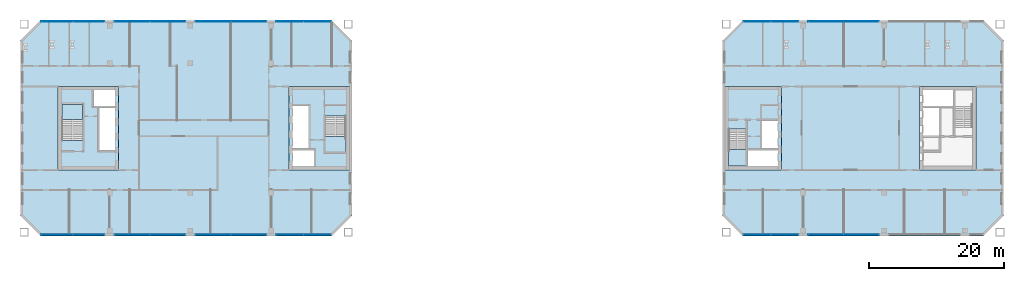
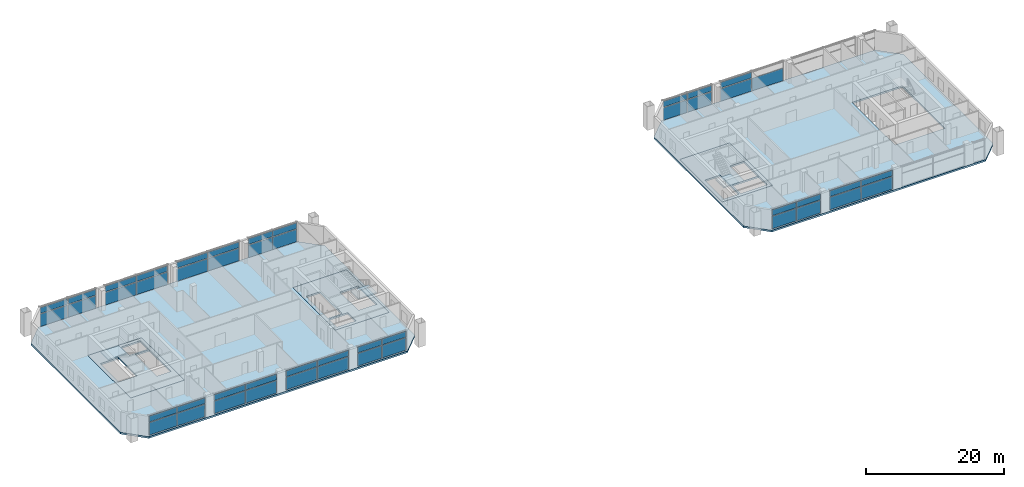
# One storey, part 7 of 17: 47 plates, 8 slabs, 15 elements without a shape of their own.
"""IFC4 building model written with IfcOpenShell, lengths in metres."""

from ifc_helpers import new_model, si_unit, direction, frame, origin, origin_2d, place, context, subcontext, project, spatial, polyline, rectangle, outline, extrude, material, layer, layer_set, type_object, element, aggregate, save


model = new_model("IFC4")

# Units and contexts
model_context = context("Model", 3, precision=1e-05, world=origin(), true_north=direction((0.0, 1.0)))
body_context = subcontext(model_context, "Body", "Model", "MODEL_VIEW")
ifc_project = project(units=[si_unit("LENGTHUNIT", "METRE"), si_unit("AREAUNIT", "SQUARE_METRE"), si_unit("VOLUMEUNIT", "CUBIC_METRE"), si_unit("PLANEANGLEUNIT", "RADIAN"), si_unit("MASSUNIT", "GRAM", prefix="KILO")], contexts=[model_context])

# Site, building, storey
site_placement = place(None, origin())
site = spatial("IfcSite", under=ifc_project, at=site_placement, CompositionType="ELEMENT")
building_placement = place(site_placement, origin())
building = spatial("IfcBuilding", under=site, at=building_placement, Name="Tuart Gate Housing", CompositionType="ELEMENT")
storey_placement = place(building_placement, frame((0.0, 0.0, 119.5)))
storey = spatial("IfcBuildingStorey", under=building, at=storey_placement, Name="L33", CompositionType="ELEMENT", Elevation=119.5)

# Slabs
ifc_material_1 = material(Name="Concrete C40", Category="concrete")
ifc_layer_1 = layer(ifc_material_1, 0.300048828125)
ifc_layer_set_1 = layer_set([ifc_layer_1], Name="Core floor slab 300")
slab_type_1 = type_object("IfcSlabType", Name="Core floor slab 300", PredefinedType="FLOOR", material=ifc_layer_set_1)
slab_1_placement = place(storey_placement, frame((0.0, 0.0, -0.300048828125)))
element("IfcSlab", 1, at=slab_1_placement, inside=storey, type_object=slab_type_1, Name="Core floor AG", PredefinedType="FLOOR", context=body_context, shape_type="SweptSolid", body=[
    extrude(outline(polyline([(66.639892578125, 63.800048828125), (75.639892578125, 63.800048828125), (75.639892578125, 76.199951171875), (66.639892578125, 76.199951171875), (66.639892578125, 63.800048828125)]), holes=[polyline([(67.18994140625, 64.35009765625), (70.385009765625, 64.35009765625), (70.385009765625, 66.72509765625), (67.18994140625, 66.72509765625), (67.18994140625, 64.35009765625)]), polyline([(67.18994140625, 66.97509765625), (69.56494140625, 66.97509765625), (69.56494140625, 73.324951171875), (67.18994140625, 73.324951171875), (67.18994140625, 66.97509765625)]), polyline([(72.014892578125, 66.47509765625), (75.090087890625, 66.47509765625), (75.090087890625, 71.804931640625), (72.014892578125, 71.804931640625), (72.014892578125, 66.47509765625)])]), origin(), (0.0, 0.0, 1.0), 0.300048828125),
])
slab_2_placement = place(storey_placement, frame((0.0, 0.0, -0.300048828125)))
element("IfcSlab", 2, at=slab_2_placement, inside=storey, type_object=slab_type_1, Name="Core floor AK", PredefinedType="FLOOR", context=body_context, shape_type="SweptSolid", body=[
    extrude(outline(polyline([(32.360107421875, 63.800048828125), (41.360107421875, 63.800048828125), (41.360107421875, 76.199951171875), (32.360107421875, 76.199951171875), (32.360107421875, 63.800048828125)]), holes=[polyline([(40.81005859375, 75.64990234375), (37.614990234375, 75.64990234375), (37.614990234375, 73.27490234375), (40.81005859375, 73.27490234375), (40.81005859375, 75.64990234375)]), polyline([(40.81005859375, 73.02490234375), (38.43505859375, 73.02490234375), (38.43505859375, 66.675048828125), (40.81005859375, 66.675048828125), (40.81005859375, 73.02490234375)]), polyline([(35.985107421875, 73.52490234375), (32.909912109375, 73.52490234375), (32.909912109375, 68.195068359375), (35.985107421875, 68.195068359375), (35.985107421875, 73.52490234375)])]), origin(), (0.0, 0.0, 1.0), 0.300048828125),
])
slab_3_placement = place(storey_placement, frame((0.0, 0.0, -0.300048828125)))
element("IfcSlab", 3, at=slab_3_placement, inside=storey, type_object=slab_type_1, Name="Core floor BG", PredefinedType="FLOOR", context=body_context, shape_type="SweptSolid", body=[
    extrude(outline(polyline([(131.360107421875, 63.800048828125), (139.760009765625, 63.800048828125), (139.760009765625, 76.199951171875), (131.360107421875, 76.199951171875), (131.360107421875, 63.800048828125)]), holes=[polyline([(139.2099609375, 66.85009765625), (134.735107421875, 66.85009765625), (134.735107421875, 64.35009765625), (139.2099609375, 64.35009765625), (139.2099609375, 66.85009765625)]), polyline([(139.2099609375, 71.125), (136.8349609375, 71.125), (136.8349609375, 66.97509765625), (139.2099609375, 66.97509765625), (139.2099609375, 71.125)]), polyline([(134.485107421875, 69.85498046875), (131.909912109375, 69.85498046875), (131.909912109375, 64.35009765625), (134.485107421875, 64.35009765625), (134.485107421875, 69.85498046875)])]), origin(), (0.0, 0.0, 1.0), 0.300048828125),
])
ifc_material_2 = material(Name="Concrete C40", Category="concrete")
ifc_layer_2 = layer(ifc_material_2, 0.300048828125)
ifc_layer_set_2 = layer_set([ifc_layer_2], Name="Flat plate 300")
slab_type_2 = type_object("IfcSlabType", Name="Flat plate 300", PredefinedType="FLOOR", material=ifc_layer_set_2)
slab_4_placement = place(storey_placement, frame((0.0, 0.0, -0.300048828125)))
element("IfcSlab", 4, at=slab_4_placement, inside=storey, type_object=slab_type_2, Name="Floor slab A L33", PredefinedType="FLOOR", context=body_context, shape_type="SweptSolid", body=[
    extrude(outline(polyline([(29.75, 86.0), (26.75, 83.0), (26.75, 57.0), (29.75, 54.0), (73.0, 54.0), (76.0, 57.0), (76.0, 83.0), (73.0, 86.0), (29.75, 86.0)]), holes=[polyline([(66.639892578125, 76.199951171875), (75.639892578125, 76.199951171875), (75.639892578125, 63.800048828125), (66.639892578125, 63.800048828125), (66.639892578125, 76.199951171875)]), polyline([(41.360107421875, 76.199951171875), (41.360107421875, 63.800048828125), (32.360107421875, 63.800048828125), (32.360107421875, 76.199951171875), (41.360107421875, 76.199951171875)])]), origin(), (0.0, 0.0, 1.0), 0.300048828125),
])
slab_5_placement = place(storey_placement, frame((0.0, 0.0, -0.300048828125)))
element("IfcSlab", 5, at=slab_5_placement, inside=storey, type_object=slab_type_2, Name="Floor slab B L33", PredefinedType="FLOOR", context=body_context, shape_type="SweptSolid", body=[
    extrude(outline(polyline([(134.0, 86.0), (131.0, 83.0), (131.0, 57.0), (134.0, 54.0), (169.75, 54.0), (172.75, 57.0), (172.75, 83.0), (169.75, 86.0), (134.0, 86.0)]), holes=[polyline([(131.360107421875, 76.199951171875), (139.760009765625, 76.199951171875), (139.760009765625, 63.800048828125), (131.360107421875, 63.800048828125), (131.360107421875, 76.199951171875)]), polyline([(168.639892578125, 76.199951171875), (168.639892578125, 63.800048828125), (160.239990234375, 63.800048828125), (160.239990234375, 76.199951171875), (168.639892578125, 76.199951171875)])]), origin(), (0.0, 0.0, 1.0), 0.300048828125),
])

# Curtain wall, plates
ifc_material_3 = material(Name="Aluminium and clear glass", Category="aluminium")
curtain_wall_type = type_object("IfcCurtainWallType", Name="Community floor glazing", PredefinedType="USERDEFINED", material=ifc_material_3)
curtain_wall_1_placement = place(storey_placement, origin())
curtain_wall_1 = element("IfcCurtainWall", 6, at=curtain_wall_1_placement, inside=storey, type_object=curtain_wall_type, Name="Community floor glazing A-S L33", ObjectType="COMMUNITY FLOOR GLAZING", PredefinedType="USERDEFINED")
ifc_material_4 = material(Name="Clear glass", Category="glass")
ifc_layer_3 = layer(ifc_material_4, 0.028076171875)
ifc_layer_set_3 = layer_set([ifc_layer_3], Name="Glazed panel 28")
plate_type_1 = type_object("IfcPlateType", Name="Glazed panel 28", PredefinedType="CURTAIN_PANEL", material=ifc_layer_set_3)
plate_1_placement = place(storey_placement, frame((32.20849609375, 54.179931640625, 0.1201171875), z_axis=(0.0, 0.0, 1.0), x_axis=(1.0, 0.0, 0.0)))
plate_1 = element("IfcPlate", 7, at=plate_1_placement, type_object=plate_type_1, Name="CW3 panel 1.1", PredefinedType="CURTAIN_PANEL", context=body_context, shape_type="SweptSolid", body=[
    extrude(rectangle(XDim=4.647705078125, YDim=0.028076171875, at=origin_2d()), origin(), (0.0, 0.0, 1.0), 2.219970703125),
])
plate_2_placement = place(storey_placement, frame((36.916259765625, 54.179931640625, 0.1201171875), z_axis=(0.0, 0.0, 1.0), x_axis=(1.0, 0.0, 0.0)))
plate_2 = element("IfcPlate", 8, at=plate_2_placement, type_object=plate_type_1, Name="CW3 panel 2.1", PredefinedType="CURTAIN_PANEL", context=body_context, shape_type="SweptSolid", body=[
    extrude(rectangle(XDim=4.647705078125, YDim=0.028076171875, at=origin_2d()), origin(), (0.0, 0.0, 1.0), 2.219970703125),
])
plate_3_placement = place(storey_placement, frame((36.916259765625, 54.179931640625, 2.4599609375), z_axis=(0.0, 0.0, 1.0), x_axis=(1.0, 0.0, 0.0)))
plate_3 = element("IfcPlate", 9, at=plate_3_placement, type_object=plate_type_1, Name="CW3 panel 2.2", PredefinedType="CURTAIN_PANEL", context=body_context, shape_type="SweptSolid", body=[
    extrude(rectangle(XDim=4.647705078125, YDim=0.028076171875, at=origin_2d()), origin(), (0.0, 0.0, 1.0), 1.02001953125),
])

curtain_wall_2_placement = place(storey_placement, origin())
curtain_wall_2 = element("IfcCurtainWall", 10, at=curtain_wall_2_placement, inside=storey, type_object=curtain_wall_type, Name="Community floor glazing A-S L33", ObjectType="COMMUNITY FLOOR GLAZING", PredefinedType="USERDEFINED")
plate_4_placement = place(storey_placement, frame((43.364990234375, 54.179931640625, 0.1201171875), z_axis=(0.0, 0.0, 1.0), x_axis=(1.0, 0.0, 0.0)))
plate_4 = element("IfcPlate", 11, at=plate_4_placement, type_object=plate_type_1, Name="CW3 panel 1.1", PredefinedType="CURTAIN_PANEL", context=body_context, shape_type="SweptSolid", body=[
    extrude(rectangle(XDim=5.2099609375, YDim=0.028076171875, at=origin_2d()), origin(), (0.0, 0.0, 1.0), 2.219970703125),
])
plate_5_placement = place(storey_placement, frame((43.364990234375, 54.179931640625, 2.4599609375), z_axis=(0.0, 0.0, 1.0), x_axis=(1.0, 0.0, 0.0)))
plate_5 = element("IfcPlate", 12, at=plate_5_placement, type_object=plate_type_1, Name="CW3 panel 1.2", PredefinedType="CURTAIN_PANEL", context=body_context, shape_type="SweptSolid", body=[
    extrude(rectangle(XDim=5.2099609375, YDim=0.028076171875, at=origin_2d()), origin(), (0.0, 0.0, 1.0), 1.02001953125),
])
plate_6_placement = place(storey_placement, frame((48.635009765625, 54.179931640625, 0.1201171875), z_axis=(0.0, 0.0, 1.0), x_axis=(1.0, 0.0, 0.0)))
plate_6 = element("IfcPlate", 13, at=plate_6_placement, type_object=plate_type_1, Name="CW3 panel 2.1", PredefinedType="CURTAIN_PANEL", context=body_context, shape_type="SweptSolid", body=[
    extrude(rectangle(XDim=5.2099609375, YDim=0.028076171875, at=origin_2d()), origin(), (0.0, 0.0, 1.0), 2.219970703125),
])
plate_7_placement = place(storey_placement, frame((48.635009765625, 54.179931640625, 2.4599609375), z_axis=(0.0, 0.0, 1.0), x_axis=(1.0, 0.0, 0.0)))
plate_7 = element("IfcPlate", 14, at=plate_7_placement, type_object=plate_type_1, Name="CW3 panel 2.2", PredefinedType="CURTAIN_PANEL", context=body_context, shape_type="SweptSolid", body=[
    extrude(rectangle(XDim=5.2099609375, YDim=0.028076171875, at=origin_2d()), origin(), (0.0, 0.0, 1.0), 1.02001953125),
])
aggregate(curtain_wall_2, [plate_4, plate_5, plate_6, plate_7])

curtain_wall_3_placement = place(storey_placement, origin())
curtain_wall_3 = element("IfcCurtainWall", 15, at=curtain_wall_3_placement, inside=storey, type_object=curtain_wall_type, Name="Community floor glazing A-S L33", ObjectType="COMMUNITY FLOOR GLAZING", PredefinedType="USERDEFINED")
plate_8_placement = place(storey_placement, frame((55.364990234375, 54.179931640625, 0.1201171875), z_axis=(0.0, 0.0, 1.0), x_axis=(1.0, 0.0, 0.0)))
plate_8 = element("IfcPlate", 16, at=plate_8_placement, type_object=plate_type_1, Name="CW3 panel 1.1", PredefinedType="CURTAIN_PANEL", context=body_context, shape_type="SweptSolid", body=[
    extrude(rectangle(XDim=5.2099609375, YDim=0.028076171875, at=origin_2d()), origin(), (0.0, 0.0, 1.0), 2.219970703125),
])
plate_9_placement = place(storey_placement, frame((55.364990234375, 54.179931640625, 2.4599609375), z_axis=(0.0, 0.0, 1.0), x_axis=(1.0, 0.0, 0.0)))
plate_9 = element("IfcPlate", 17, at=plate_9_placement, type_object=plate_type_1, Name="CW3 panel 1.2", PredefinedType="CURTAIN_PANEL", context=body_context, shape_type="SweptSolid", body=[
    extrude(rectangle(XDim=5.2099609375, YDim=0.028076171875, at=origin_2d()), origin(), (0.0, 0.0, 1.0), 1.02001953125),
])
plate_10_placement = place(storey_placement, frame((60.635009765625, 54.179931640625, 0.1201171875), z_axis=(0.0, 0.0, 1.0), x_axis=(1.0, 0.0, 0.0)))
plate_10 = element("IfcPlate", 18, at=plate_10_placement, type_object=plate_type_1, Name="CW3 panel 2.1", PredefinedType="CURTAIN_PANEL", context=body_context, shape_type="SweptSolid", body=[
    extrude(rectangle(XDim=5.2099609375, YDim=0.028076171875, at=origin_2d()), origin(), (0.0, 0.0, 1.0), 2.219970703125),
])
plate_11_placement = place(storey_placement, frame((60.635009765625, 54.179931640625, 2.4599609375), z_axis=(0.0, 0.0, 1.0), x_axis=(1.0, 0.0, 0.0)))
plate_11 = element("IfcPlate", 19, at=plate_11_placement, type_object=plate_type_1, Name="CW3 panel 2.2", PredefinedType="CURTAIN_PANEL", context=body_context, shape_type="SweptSolid", body=[
    extrude(rectangle(XDim=5.2099609375, YDim=0.028076171875, at=origin_2d()), origin(), (0.0, 0.0, 1.0), 1.02001953125),
])
aggregate(curtain_wall_3, [plate_8, plate_9, plate_10, plate_11])

curtain_wall_4_placement = place(storey_placement, origin())
curtain_wall_4 = element("IfcCurtainWall", 20, at=curtain_wall_4_placement, inside=storey, type_object=curtain_wall_type, Name="Community floor glazing A-S L33", ObjectType="COMMUNITY FLOOR GLAZING", PredefinedType="USERDEFINED")
plate_12_placement = place(storey_placement, frame((66.771484375, 54.179931640625, 0.1201171875), z_axis=(0.0, 0.0, 1.0), x_axis=(1.0, 0.0, 0.0)))
plate_12 = element("IfcPlate", 21, at=plate_12_placement, type_object=plate_type_1, Name="CW3 panel 1.1", PredefinedType="CURTAIN_PANEL", context=body_context, shape_type="SweptSolid", body=[
    extrude(rectangle(XDim=4.022705078125, YDim=0.028076171875, at=origin_2d()), origin(), (0.0, 0.0, 1.0), 2.219970703125),
])
plate_13_placement = place(storey_placement, frame((66.771484375, 54.179931640625, 2.4599609375), z_axis=(0.0, 0.0, 1.0), x_axis=(1.0, 0.0, 0.0)))
plate_13 = element("IfcPlate", 22, at=plate_13_placement, type_object=plate_type_1, Name="CW3 panel 1.2", PredefinedType="CURTAIN_PANEL", context=body_context, shape_type="SweptSolid", body=[
    extrude(rectangle(XDim=4.022705078125, YDim=0.028076171875, at=origin_2d()), origin(), (0.0, 0.0, 1.0), 1.02001953125),
])
plate_14_placement = place(storey_placement, frame((70.85400390625, 54.179931640625, 0.1201171875), z_axis=(0.0, 0.0, 1.0), x_axis=(1.0, 0.0, 0.0)))
plate_14 = element("IfcPlate", 23, at=plate_14_placement, type_object=plate_type_1, Name="CW3 panel 2.1", PredefinedType="CURTAIN_PANEL", context=body_context, shape_type="SweptSolid", body=[
    extrude(rectangle(XDim=4.022705078125, YDim=0.028076171875, at=origin_2d()), origin(), (0.0, 0.0, 1.0), 2.219970703125),
])

curtain_wall_5_placement = place(storey_placement, origin())
curtain_wall_5 = element("IfcCurtainWall", 24, at=curtain_wall_5_placement, inside=storey, type_object=curtain_wall_type, Name="Community floor glazing A-N L33", ObjectType="COMMUNITY FLOOR GLAZING", PredefinedType="USERDEFINED")
plate_15_placement = place(storey_placement, frame((70.85400390625, 85.820068359375, 0.1201171875), z_axis=(0.0, 0.0, 1.0), x_axis=(-1.0, 0.0, 0.0)))
plate_15 = element("IfcPlate", 25, at=plate_15_placement, type_object=plate_type_1, Name="CW3 panel 1.1", PredefinedType="CURTAIN_PANEL", context=body_context, shape_type="SweptSolid", body=[
    extrude(rectangle(XDim=4.022705078125, YDim=0.028076171875, at=origin_2d()), origin(), (0.0, 0.0, 1.0), 2.219970703125),
])
plate_16_placement = place(storey_placement, frame((66.771240234375, 85.820068359375, 0.1201171875), z_axis=(0.0, 0.0, 1.0), x_axis=(-1.0, 0.0, 0.0)))
plate_16 = element("IfcPlate", 26, at=plate_16_placement, type_object=plate_type_1, Name="CW3 panel 2.1", PredefinedType="CURTAIN_PANEL", context=body_context, shape_type="SweptSolid", body=[
    extrude(rectangle(XDim=4.022705078125, YDim=0.028076171875, at=origin_2d()), origin(), (0.0, 0.0, 1.0), 2.219970703125),
])
plate_17_placement = place(storey_placement, frame((66.771240234375, 85.820068359375, 2.4599609375), z_axis=(0.0, 0.0, 1.0), x_axis=(-1.0, 0.0, 0.0)))
plate_17 = element("IfcPlate", 27, at=plate_17_placement, type_object=plate_type_1, Name="CW3 panel 2.2", PredefinedType="CURTAIN_PANEL", context=body_context, shape_type="SweptSolid", body=[
    extrude(rectangle(XDim=4.022705078125, YDim=0.028076171875, at=origin_2d()), origin(), (0.0, 0.0, 1.0), 1.02001953125),
])

curtain_wall_6_placement = place(storey_placement, origin())
curtain_wall_6 = element("IfcCurtainWall", 28, at=curtain_wall_6_placement, inside=storey, type_object=curtain_wall_type, Name="Community floor glazing A-N L33", ObjectType="COMMUNITY FLOOR GLAZING", PredefinedType="USERDEFINED")
plate_18_placement = place(storey_placement, frame((60.635009765625, 85.820068359375, 0.1201171875), z_axis=(0.0, 0.0, 1.0), x_axis=(-1.0, 0.0, 0.0)))
plate_18 = element("IfcPlate", 29, at=plate_18_placement, type_object=plate_type_1, Name="CW3 panel 1.1", PredefinedType="CURTAIN_PANEL", context=body_context, shape_type="SweptSolid", body=[
    extrude(rectangle(XDim=5.2099609375, YDim=0.028076171875, at=origin_2d()), origin(), (0.0, 0.0, 1.0), 2.219970703125),
])
plate_19_placement = place(storey_placement, frame((60.635009765625, 85.820068359375, 2.4599609375), z_axis=(0.0, 0.0, 1.0), x_axis=(-1.0, 0.0, 0.0)))
plate_19 = element("IfcPlate", 30, at=plate_19_placement, type_object=plate_type_1, Name="CW3 panel 1.2", PredefinedType="CURTAIN_PANEL", context=body_context, shape_type="SweptSolid", body=[
    extrude(rectangle(XDim=5.2099609375, YDim=0.028076171875, at=origin_2d()), origin(), (0.0, 0.0, 1.0), 1.02001953125),
])
plate_20_placement = place(storey_placement, frame((55.364990234375, 85.820068359375, 0.1201171875), z_axis=(0.0, 0.0, 1.0), x_axis=(-1.0, 0.0, 0.0)))
plate_20 = element("IfcPlate", 31, at=plate_20_placement, type_object=plate_type_1, Name="CW3 panel 2.1", PredefinedType="CURTAIN_PANEL", context=body_context, shape_type="SweptSolid", body=[
    extrude(rectangle(XDim=5.2099609375, YDim=0.028076171875, at=origin_2d()), origin(), (0.0, 0.0, 1.0), 2.219970703125),
])
plate_21_placement = place(storey_placement, frame((55.364990234375, 85.820068359375, 2.4599609375), z_axis=(0.0, 0.0, 1.0), x_axis=(-1.0, 0.0, 0.0)))
plate_21 = element("IfcPlate", 32, at=plate_21_placement, type_object=plate_type_1, Name="CW3 panel 2.2", PredefinedType="CURTAIN_PANEL", context=body_context, shape_type="SweptSolid", body=[
    extrude(rectangle(XDim=5.2099609375, YDim=0.028076171875, at=origin_2d()), origin(), (0.0, 0.0, 1.0), 1.02001953125),
])
aggregate(curtain_wall_6, [plate_18, plate_19, plate_20, plate_21])

curtain_wall_7_placement = place(storey_placement, origin())
curtain_wall_7 = element("IfcCurtainWall", 33, at=curtain_wall_7_placement, inside=storey, type_object=curtain_wall_type, Name="Community floor glazing A-N L33", ObjectType="COMMUNITY FLOOR GLAZING", PredefinedType="USERDEFINED")
plate_22_placement = place(storey_placement, frame((48.635009765625, 85.820068359375, 0.1201171875), z_axis=(0.0, 0.0, 1.0), x_axis=(-1.0, 0.0, 0.0)))
plate_22 = element("IfcPlate", 34, at=plate_22_placement, type_object=plate_type_1, Name="CW3 panel 1.1", PredefinedType="CURTAIN_PANEL", context=body_context, shape_type="SweptSolid", body=[
    extrude(rectangle(XDim=5.2099609375, YDim=0.028076171875, at=origin_2d()), origin(), (0.0, 0.0, 1.0), 2.219970703125),
])
plate_23_placement = place(storey_placement, frame((48.635009765625, 85.820068359375, 2.4599609375), z_axis=(0.0, 0.0, 1.0), x_axis=(-1.0, 0.0, 0.0)))
plate_23 = element("IfcPlate", 35, at=plate_23_placement, type_object=plate_type_1, Name="CW3 panel 1.2", PredefinedType="CURTAIN_PANEL", context=body_context, shape_type="SweptSolid", body=[
    extrude(rectangle(XDim=5.2099609375, YDim=0.028076171875, at=origin_2d()), origin(), (0.0, 0.0, 1.0), 1.02001953125),
])
plate_24_placement = place(storey_placement, frame((43.364990234375, 85.820068359375, 0.1201171875), z_axis=(0.0, 0.0, 1.0), x_axis=(-1.0, 0.0, 0.0)))
plate_24 = element("IfcPlate", 36, at=plate_24_placement, type_object=plate_type_1, Name="CW3 panel 2.1", PredefinedType="CURTAIN_PANEL", context=body_context, shape_type="SweptSolid", body=[
    extrude(rectangle(XDim=5.2099609375, YDim=0.028076171875, at=origin_2d()), origin(), (0.0, 0.0, 1.0), 2.219970703125),
])
plate_25_placement = place(storey_placement, frame((43.364990234375, 85.820068359375, 2.4599609375), z_axis=(0.0, 0.0, 1.0), x_axis=(-1.0, 0.0, 0.0)))
plate_25 = element("IfcPlate", 37, at=plate_25_placement, type_object=plate_type_1, Name="CW3 panel 2.2", PredefinedType="CURTAIN_PANEL", context=body_context, shape_type="SweptSolid", body=[
    extrude(rectangle(XDim=5.2099609375, YDim=0.028076171875, at=origin_2d()), origin(), (0.0, 0.0, 1.0), 1.02001953125),
])
aggregate(curtain_wall_7, [plate_22, plate_23, plate_24, plate_25])

curtain_wall_8_placement = place(storey_placement, origin())
curtain_wall_8 = element("IfcCurtainWall", 38, at=curtain_wall_8_placement, inside=storey, type_object=curtain_wall_type, Name="Community floor glazing A-N L33", ObjectType="COMMUNITY FLOOR GLAZING", PredefinedType="USERDEFINED")
plate_26_placement = place(storey_placement, frame((36.916015625, 85.820068359375, 0.1201171875), z_axis=(0.0, 0.0, 1.0), x_axis=(-1.0, 0.0, 0.0)))
plate_26 = element("IfcPlate", 39, at=plate_26_placement, type_object=plate_type_1, Name="CW3 panel 1.1", PredefinedType="CURTAIN_PANEL", context=body_context, shape_type="SweptSolid", body=[
    extrude(rectangle(XDim=4.647705078125, YDim=0.028076171875, at=origin_2d()), origin(), (0.0, 0.0, 1.0), 2.219970703125),
])
plate_27_placement = place(storey_placement, frame((36.916015625, 85.820068359375, 2.4599609375), z_axis=(0.0, 0.0, 1.0), x_axis=(-1.0, 0.0, 0.0)))
plate_27 = element("IfcPlate", 40, at=plate_27_placement, type_object=plate_type_1, Name="CW3 panel 1.2", PredefinedType="CURTAIN_PANEL", context=body_context, shape_type="SweptSolid", body=[
    extrude(rectangle(XDim=4.647705078125, YDim=0.028076171875, at=origin_2d()), origin(), (0.0, 0.0, 1.0), 1.02001953125),
])
plate_28_placement = place(storey_placement, frame((32.20849609375, 85.820068359375, 0.1201171875), z_axis=(0.0, 0.0, 1.0), x_axis=(-1.0, 0.0, 0.0)))
plate_28 = element("IfcPlate", 41, at=plate_28_placement, type_object=plate_type_1, Name="CW3 panel 2.1", PredefinedType="CURTAIN_PANEL", context=body_context, shape_type="SweptSolid", body=[
    extrude(rectangle(XDim=4.647705078125, YDim=0.028076171875, at=origin_2d()), origin(), (0.0, 0.0, 1.0), 2.219970703125),
])

curtain_wall_9_placement = place(storey_placement, origin())
curtain_wall_9 = element("IfcCurtainWall", 42, at=curtain_wall_9_placement, inside=storey, type_object=curtain_wall_type, Name="Community floor glazing B-S L33", ObjectType="COMMUNITY FLOOR GLAZING", PredefinedType="USERDEFINED")
plate_29_placement = place(storey_placement, frame((136.14599609375, 54.179931640625, 0.1201171875), z_axis=(0.0, 0.0, 1.0), x_axis=(1.0, 0.0, 0.0)))
plate_29 = element("IfcPlate", 43, at=plate_29_placement, type_object=plate_type_1, Name="CW3 panel 1.1", PredefinedType="CURTAIN_PANEL", context=body_context, shape_type="SweptSolid", body=[
    extrude(rectangle(XDim=4.022705078125, YDim=0.028076171875, at=origin_2d()), origin(), (0.0, 0.0, 1.0), 2.219970703125),
])
plate_30_placement = place(storey_placement, frame((140.228759765625, 54.179931640625, 0.1201171875), z_axis=(0.0, 0.0, 1.0), x_axis=(1.0, 0.0, 0.0)))
plate_30 = element("IfcPlate", 44, at=plate_30_placement, type_object=plate_type_1, Name="CW3 panel 2.1", PredefinedType="CURTAIN_PANEL", context=body_context, shape_type="SweptSolid", body=[
    extrude(rectangle(XDim=4.022705078125, YDim=0.028076171875, at=origin_2d()), origin(), (0.0, 0.0, 1.0), 2.219970703125),
])
plate_31_placement = place(storey_placement, frame((140.228759765625, 54.179931640625, 2.4599609375), z_axis=(0.0, 0.0, 1.0), x_axis=(1.0, 0.0, 0.0)))
plate_31 = element("IfcPlate", 45, at=plate_31_placement, type_object=plate_type_1, Name="CW3 panel 2.2", PredefinedType="CURTAIN_PANEL", context=body_context, shape_type="SweptSolid", body=[
    extrude(rectangle(XDim=4.022705078125, YDim=0.028076171875, at=origin_2d()), origin(), (0.0, 0.0, 1.0), 1.02001953125),
])

curtain_wall_10_placement = place(storey_placement, origin())
curtain_wall_10 = element("IfcCurtainWall", 46, at=curtain_wall_10_placement, inside=storey, type_object=curtain_wall_type, Name="Community floor glazing B-S L33", ObjectType="COMMUNITY FLOOR GLAZING", PredefinedType="USERDEFINED")
plate_32_placement = place(storey_placement, frame((146.364990234375, 54.179931640625, 0.1201171875), z_axis=(0.0, 0.0, 1.0), x_axis=(1.0, 0.0, 0.0)))
plate_32 = element("IfcPlate", 47, at=plate_32_placement, type_object=plate_type_1, Name="CW3 panel 1.1", PredefinedType="CURTAIN_PANEL", context=body_context, shape_type="SweptSolid", body=[
    extrude(rectangle(XDim=5.2099609375, YDim=0.028076171875, at=origin_2d()), origin(), (0.0, 0.0, 1.0), 2.219970703125),
])
plate_33_placement = place(storey_placement, frame((146.364990234375, 54.179931640625, 2.4599609375), z_axis=(0.0, 0.0, 1.0), x_axis=(1.0, 0.0, 0.0)))
plate_33 = element("IfcPlate", 48, at=plate_33_placement, type_object=plate_type_1, Name="CW3 panel 1.2", PredefinedType="CURTAIN_PANEL", context=body_context, shape_type="SweptSolid", body=[
    extrude(rectangle(XDim=5.2099609375, YDim=0.028076171875, at=origin_2d()), origin(), (0.0, 0.0, 1.0), 1.02001953125),
])
plate_34_placement = place(storey_placement, frame((151.635009765625, 54.179931640625, 0.1201171875), z_axis=(0.0, 0.0, 1.0), x_axis=(1.0, 0.0, 0.0)))
plate_34 = element("IfcPlate", 49, at=plate_34_placement, type_object=plate_type_1, Name="CW3 panel 2.1", PredefinedType="CURTAIN_PANEL", context=body_context, shape_type="SweptSolid", body=[
    extrude(rectangle(XDim=5.2099609375, YDim=0.028076171875, at=origin_2d()), origin(), (0.0, 0.0, 1.0), 2.219970703125),
])
plate_35_placement = place(storey_placement, frame((151.635009765625, 54.179931640625, 2.4599609375), z_axis=(0.0, 0.0, 1.0), x_axis=(1.0, 0.0, 0.0)))
plate_35 = element("IfcPlate", 50, at=plate_35_placement, type_object=plate_type_1, Name="CW3 panel 2.2", PredefinedType="CURTAIN_PANEL", context=body_context, shape_type="SweptSolid", body=[
    extrude(rectangle(XDim=5.2099609375, YDim=0.028076171875, at=origin_2d()), origin(), (0.0, 0.0, 1.0), 1.02001953125),
])
aggregate(curtain_wall_10, [plate_32, plate_33, plate_34, plate_35])

curtain_wall_11_placement = place(storey_placement, origin())
curtain_wall_11 = element("IfcCurtainWall", 51, at=curtain_wall_11_placement, inside=storey, type_object=curtain_wall_type, Name="Community floor glazing B-N L33", ObjectType="COMMUNITY FLOOR GLAZING", PredefinedType="USERDEFINED")
plate_36_placement = place(storey_placement, frame((151.635009765625, 85.820068359375, 0.1201171875), z_axis=(0.0, 0.0, 1.0), x_axis=(-1.0, 0.0, 0.0)))
plate_36 = element("IfcPlate", 52, at=plate_36_placement, type_object=plate_type_1, Name="CW3 panel 1.1", PredefinedType="CURTAIN_PANEL", context=body_context, shape_type="SweptSolid", body=[
    extrude(rectangle(XDim=5.2099609375, YDim=0.028076171875, at=origin_2d()), origin(), (0.0, 0.0, 1.0), 2.219970703125),
])
plate_37_placement = place(storey_placement, frame((146.364990234375, 85.820068359375, 0.1201171875), z_axis=(0.0, 0.0, 1.0), x_axis=(-1.0, 0.0, 0.0)))
plate_37 = element("IfcPlate", 53, at=plate_37_placement, type_object=plate_type_1, Name="CW3 panel 2.1", PredefinedType="CURTAIN_PANEL", context=body_context, shape_type="SweptSolid", body=[
    extrude(rectangle(XDim=5.2099609375, YDim=0.028076171875, at=origin_2d()), origin(), (0.0, 0.0, 1.0), 2.219970703125),
])
plate_38_placement = place(storey_placement, frame((146.364990234375, 85.820068359375, 2.4599609375), z_axis=(0.0, 0.0, 1.0), x_axis=(-1.0, 0.0, 0.0)))
plate_38 = element("IfcPlate", 54, at=plate_38_placement, type_object=plate_type_1, Name="CW3 panel 2.2", PredefinedType="CURTAIN_PANEL", context=body_context, shape_type="SweptSolid", body=[
    extrude(rectangle(XDim=5.2099609375, YDim=0.028076171875, at=origin_2d()), origin(), (0.0, 0.0, 1.0), 1.02001953125),
])
aggregate(curtain_wall_11, [plate_36, plate_37, plate_38])

curtain_wall_12_placement = place(storey_placement, origin())
curtain_wall_12 = element("IfcCurtainWall", 55, at=curtain_wall_12_placement, inside=storey, type_object=curtain_wall_type, Name="Community floor glazing B-N L33", ObjectType="COMMUNITY FLOOR GLAZING", PredefinedType="USERDEFINED")
plate_39_placement = place(storey_placement, frame((140.228515625, 85.820068359375, 0.1201171875), z_axis=(0.0, 0.0, 1.0), x_axis=(-1.0, 0.0, 0.0)))
plate_39 = element("IfcPlate", 56, at=plate_39_placement, type_object=plate_type_1, Name="CW3 panel 1.1", PredefinedType="CURTAIN_PANEL", context=body_context, shape_type="SweptSolid", body=[
    extrude(rectangle(XDim=4.022705078125, YDim=0.028076171875, at=origin_2d()), origin(), (0.0, 0.0, 1.0), 2.219970703125),
])
plate_40_placement = place(storey_placement, frame((140.228515625, 85.820068359375, 2.4599609375), z_axis=(0.0, 0.0, 1.0), x_axis=(-1.0, 0.0, 0.0)))
plate_40 = element("IfcPlate", 57, at=plate_40_placement, type_object=plate_type_1, Name="CW3 panel 1.2", PredefinedType="CURTAIN_PANEL", context=body_context, shape_type="SweptSolid", body=[
    extrude(rectangle(XDim=4.022705078125, YDim=0.028076171875, at=origin_2d()), origin(), (0.0, 0.0, 1.0), 1.02001953125),
])
plate_41_placement = place(storey_placement, frame((136.14599609375, 85.820068359375, 0.1201171875), z_axis=(0.0, 0.0, 1.0), x_axis=(-1.0, 0.0, 0.0)))
plate_41 = element("IfcPlate", 58, at=plate_41_placement, type_object=plate_type_1, Name="CW3 panel 2.1", PredefinedType="CURTAIN_PANEL", context=body_context, shape_type="SweptSolid", body=[
    extrude(rectangle(XDim=4.022705078125, YDim=0.028076171875, at=origin_2d()), origin(), (0.0, 0.0, 1.0), 2.219970703125),
])

# Plate
ifc_material_5 = material(Name="Insulated aluminium panel", Category="aluminium")
ifc_layer_4 = layer(ifc_material_5, 0.028076171875)
ifc_layer_set_4 = layer_set([ifc_layer_4], Name="Insulated opaque panel 28")
plate_type_2 = type_object("IfcPlateType", Name="Insulated opaque panel 28", PredefinedType="CURTAIN_PANEL", material=ifc_layer_set_4)
plate_42_placement = place(storey_placement, frame((32.20849609375, 54.179931640625, 2.4599609375), z_axis=(0.0, 0.0, 1.0), x_axis=(1.0, 0.0, 0.0)))
plate_42 = element("IfcPlate", 59, at=plate_42_placement, type_object=plate_type_2, Name="CW3 opaque panel 1.2", PredefinedType="CURTAIN_PANEL", context=body_context, shape_type="SweptSolid", body=[
    extrude(rectangle(XDim=4.647705078125, YDim=0.028076171875, at=origin_2d()), origin(), (0.0, 0.0, 1.0), 1.02001953125),
])

aggregate(curtain_wall_1, [plate_1, plate_42, plate_2, plate_3])

plate_43_placement = place(storey_placement, frame((70.85400390625, 54.179931640625, 2.4599609375), z_axis=(0.0, 0.0, 1.0), x_axis=(1.0, 0.0, 0.0)))
plate_43 = element("IfcPlate", 60, at=plate_43_placement, type_object=plate_type_2, Name="CW3 opaque panel 2.2", PredefinedType="CURTAIN_PANEL", context=body_context, shape_type="SweptSolid", body=[
    extrude(rectangle(XDim=4.022705078125, YDim=0.028076171875, at=origin_2d()), origin(), (0.0, 0.0, 1.0), 1.02001953125),
])

aggregate(curtain_wall_4, [plate_12, plate_13, plate_14, plate_43])

plate_44_placement = place(storey_placement, frame((70.85400390625, 85.820068359375, 2.4599609375), z_axis=(0.0, 0.0, 1.0), x_axis=(-1.0, 0.0, 0.0)))
plate_44 = element("IfcPlate", 61, at=plate_44_placement, type_object=plate_type_2, Name="CW3 opaque panel 1.2", PredefinedType="CURTAIN_PANEL", context=body_context, shape_type="SweptSolid", body=[
    extrude(rectangle(XDim=4.022705078125, YDim=0.028076171875, at=origin_2d()), origin(), (0.0, 0.0, 1.0), 1.02001953125),
])

aggregate(curtain_wall_5, [plate_15, plate_44, plate_16, plate_17])

plate_45_placement = place(storey_placement, frame((32.20849609375, 85.820068359375, 2.4599609375), z_axis=(0.0, 0.0, 1.0), x_axis=(-1.0, 0.0, 0.0)))
plate_45 = element("IfcPlate", 62, at=plate_45_placement, type_object=plate_type_2, Name="CW3 opaque panel 2.2", PredefinedType="CURTAIN_PANEL", context=body_context, shape_type="SweptSolid", body=[
    extrude(rectangle(XDim=4.647705078125, YDim=0.028076171875, at=origin_2d()), origin(), (0.0, 0.0, 1.0), 1.02001953125),
])

aggregate(curtain_wall_8, [plate_26, plate_27, plate_28, plate_45])

plate_46_placement = place(storey_placement, frame((136.14599609375, 54.179931640625, 2.4599609375), z_axis=(0.0, 0.0, 1.0), x_axis=(1.0, 0.0, 0.0)))
plate_46 = element("IfcPlate", 63, at=plate_46_placement, type_object=plate_type_2, Name="CW3 opaque panel 1.2", PredefinedType="CURTAIN_PANEL", context=body_context, shape_type="SweptSolid", body=[
    extrude(rectangle(XDim=4.022705078125, YDim=0.028076171875, at=origin_2d()), origin(), (0.0, 0.0, 1.0), 1.02001953125),
])

aggregate(curtain_wall_9, [plate_29, plate_46, plate_30, plate_31])

plate_47_placement = place(storey_placement, frame((136.14599609375, 85.820068359375, 2.4599609375), z_axis=(0.0, 0.0, 1.0), x_axis=(-1.0, 0.0, 0.0)))
plate_47 = element("IfcPlate", 64, at=plate_47_placement, type_object=plate_type_2, Name="CW3 opaque panel 2.2", PredefinedType="CURTAIN_PANEL", context=body_context, shape_type="SweptSolid", body=[
    extrude(rectangle(XDim=4.022705078125, YDim=0.028076171875, at=origin_2d()), origin(), (0.0, 0.0, 1.0), 1.02001953125),
])

aggregate(curtain_wall_12, [plate_39, plate_40, plate_41, plate_47])

# Stair, slab
ifc_material_6 = material(Name="Concrete C40", Category="concrete")
stair_type_1 = type_object("IfcStairType", Name="Core stair 1500", PredefinedType="HALF_TURN_STAIR", material=ifc_material_6)
stair_1_placement = place(storey_placement, origin())
stair_1 = element("IfcStair", 65, at=stair_1_placement, inside=storey, type_object=stair_type_1, Name="Stair SA1", PredefinedType="HALF_TURN_STAIR")
ifc_material_7 = material(Name="Concrete C40", Category="concrete")
ifc_layer_5 = layer(ifc_material_7, 0.199951171875)
ifc_layer_set_5 = layer_set([ifc_layer_5], Name="Stair landing 200")
slab_type_3 = type_object("IfcSlabType", Name="Stair landing 200", PredefinedType="LANDING", material=ifc_layer_set_5)
slab_6_placement = place(storey_placement, frame((0.0, 0.0, 1.89990234375)))
slab_6 = element("IfcSlab", 66, at=slab_6_placement, type_object=slab_type_3, Name="SA1 landing 1", PredefinedType="LANDING", context=body_context, shape_type="SweptSolid", body=[
    extrude(outline(polyline([(72.014892578125, 66.47509765625), (75.090087890625, 66.47509765625), (75.090087890625, 68.7451171875), (72.014892578125, 68.7451171875), (72.014892578125, 66.47509765625)])), origin(), (0.0, 0.0, 1.0), 0.2001953125),
])
aggregate(stair_1, [slab_6])

stair_2_placement = place(storey_placement, origin())
stair_2 = element("IfcStair", 67, at=stair_2_placement, inside=storey, type_object=stair_type_1, Name="Stair SA2", PredefinedType="HALF_TURN_STAIR")
slab_7_placement = place(storey_placement, frame((0.0, 0.0, 1.89990234375)))
slab_7 = element("IfcSlab", 68, at=slab_7_placement, type_object=slab_type_3, Name="SA2 landing 1", PredefinedType="LANDING", context=body_context, shape_type="SweptSolid", body=[
    extrude(outline(polyline([(35.985107421875, 73.52490234375), (32.909912109375, 73.52490234375), (32.909912109375, 71.2548828125), (35.985107421875, 71.2548828125), (35.985107421875, 73.52490234375)])), origin(), (0.0, 0.0, 1.0), 0.2001953125),
])
aggregate(stair_2, [slab_7])

ifc_material_8 = material(Name="Concrete C40", Category="concrete")
stair_type_2 = type_object("IfcStairType", Name="Core stair 1250", PredefinedType="HALF_TURN_STAIR", material=ifc_material_8)
stair_3_placement = place(storey_placement, origin())
stair_3 = element("IfcStair", 69, at=stair_3_placement, inside=storey, type_object=stair_type_2, Name="Stair SB1", PredefinedType="HALF_TURN_STAIR")
slab_8_placement = place(storey_placement, frame((0.0, 0.0, 1.89990234375)))
slab_8 = element("IfcSlab", 70, at=slab_8_placement, type_object=slab_type_3, Name="SB1 landing 1", PredefinedType="LANDING", context=body_context, shape_type="SweptSolid", body=[
    extrude(outline(polyline([(134.485107421875, 66.794921875), (131.909912109375, 66.794921875), (131.909912109375, 64.35009765625), (134.485107421875, 64.35009765625), (134.485107421875, 66.794921875)])), origin(), (0.0, 0.0, 1.0), 0.2001953125),
])
aggregate(stair_3, [slab_8])

save(model, "model.ifc")
